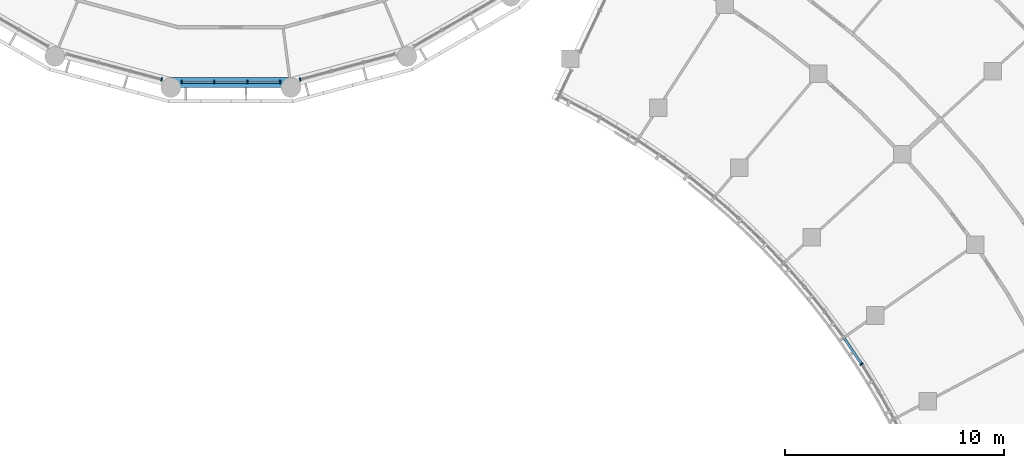
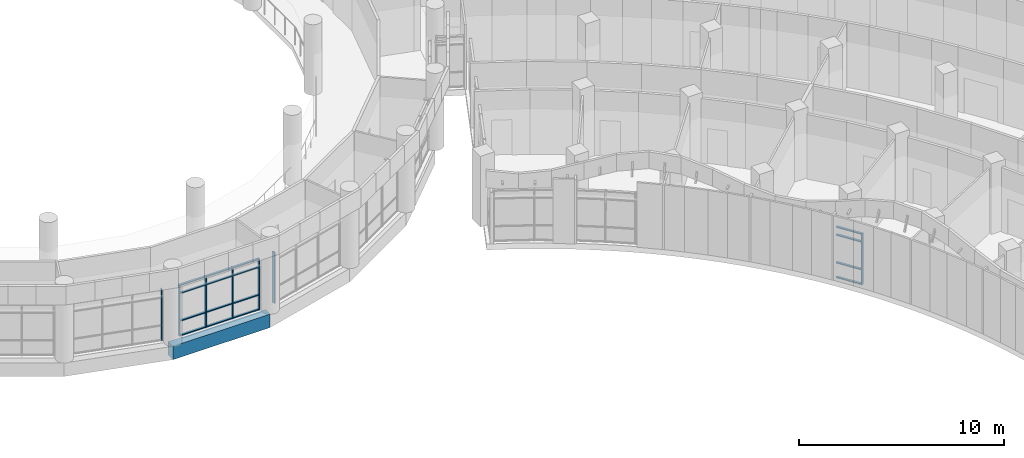
# One storey, part 9 of 109: 23 members, 1 beam, 4 elements without a shape of their own.
"""IFC4 building model written with IfcOpenShell, lengths in metres."""

from ifc_helpers import new_model, si_unit, direction, frame, origin, origin_2d, place, context, subcontext, project, spatial, rectangle, extrude, material, material_profile, profile_set, type_object, element, aggregate, save


model = new_model("IFC4")

# Units and contexts
model_context = context("Model", 3, precision=1e-05, world=origin(), true_north=direction((0.0, 1.0)))
body_context = subcontext(model_context, "Body", "Model", "MODEL_VIEW")
ifc_project = project(units=[si_unit("LENGTHUNIT", "METRE"), si_unit("AREAUNIT", "SQUARE_METRE"), si_unit("VOLUMEUNIT", "CUBIC_METRE"), si_unit("PLANEANGLEUNIT", "RADIAN"), si_unit("MASSUNIT", "GRAM", prefix="KILO")], contexts=[model_context])

# Site, building, storey
site_placement = place(None, origin())
site = spatial("IfcSite", under=ifc_project, at=site_placement, CompositionType="ELEMENT")
building_placement = place(site_placement, origin())
building = spatial("IfcBuilding", under=site, at=building_placement, Name="Bougainvillea Quay General Hospital", CompositionType="ELEMENT")
storey_placement = place(building_placement, frame((0.0, 0.0, 12.60009765625)))
storey = spatial("IfcBuildingStorey", under=building, at=storey_placement, Name="L02", CompositionType="ELEMENT", Elevation=12.60009765625)

# Curtain wall, member
ifc_material_1 = material(Name="Aluminium curtain wall system, powder-coated glazed", Category="aluminium")
curtain_wall_type_1 = type_object("IfcCurtainWallType", Name="Unitised curtain wall CW-2100", PredefinedType="NOTDEFINED", material=ifc_material_1)
curtain_wall_1_placement = place(storey_placement, origin())
curtain_wall_1 = element("IfcCurtainWall", 1, at=curtain_wall_1_placement, inside=storey, type_object=curtain_wall_type_1, Name="CW-E05 a21b4", PredefinedType="NOTDEFINED")
ifc_material_2 = material(Name="Aluminium mullion, powder-coated charcoal", Category="aluminium")
ifc_material_profile_1 = material_profile(ifc_material_2, rectangle(XDim=0.159912109375, YDim=0.06005859375, at=origin_2d()))
ifc_profile_set_1 = profile_set([ifc_material_profile_1], Name="Aluminium mullion, powder-coated charcoal")
member_type_1 = type_object("IfcMemberType", Name="Curtain wall mullion 160x60", PredefinedType="MULLION", material=ifc_profile_set_1)
member_1_placement = place(storey_placement, frame((137.984619140625, 40.560791015625, 0.0), z_axis=(0.0, 0.0, 1.0), x_axis=(0.840427908607, 0.541923362141, 0.0)))
member_1 = element("IfcMember", 2, at=member_1_placement, type_object=member_type_1, Name="CW-E05 mullion 2", PredefinedType="MULLION", context=body_context, shape_type="SweptSolid", body=[
    extrude(rectangle(XDim=0.159912109375, YDim=0.06005859375, at=origin_2d()), origin(), (0.0, 0.0, 1.0), 3.0498046875),
])

curtain_wall_type_2 = type_object("IfcCurtainWallType", Name="Unitised curtain wall CW-1514", PredefinedType="NOTDEFINED", material=ifc_material_1)
curtain_wall_2_placement = place(storey_placement, origin())
curtain_wall_2 = element("IfcCurtainWall", 3, at=curtain_wall_2_placement, inside=storey, type_object=curtain_wall_type_2, Name="CW-D 00", PredefinedType="NOTDEFINED")
member_2_placement = place(storey_placement, frame((106.040771484375, 53.551025390625, 0.0), z_axis=(0.0, 0.0, 1.0), x_axis=(0.258854621298, 0.965916292974, 0.0)))
member_2 = element("IfcMember", 4, at=member_2_placement, type_object=member_type_1, Name="CW-D mullion 4", PredefinedType="MULLION", context=body_context, shape_type="SweptSolid", body=[
    extrude(rectangle(XDim=0.159912109375, YDim=0.06005859375, at=origin_2d()), origin(), (0.0, 0.0, 1.0), 3.0498046875),
])
aggregate(curtain_wall_2, [member_2])

# Curtain wall, members
curtain_wall_3_placement = place(storey_placement, origin())
curtain_wall_3 = element("IfcCurtainWall", 5, at=curtain_wall_3_placement, inside=storey, type_object=curtain_wall_type_2, Name="CW-D 00", PredefinedType="NOTDEFINED")
member_3_placement = place(storey_placement, frame((106.958984375, 53.429931640625, 0.0), z_axis=(0.0, 0.0, 1.0), x_axis=(0.0, 1.0, 0.0)))
member_3 = element("IfcMember", 6, at=member_3_placement, type_object=member_type_1, Name="CW-D mullion 1", PredefinedType="MULLION", context=body_context, shape_type="SweptSolid", body=[
    extrude(rectangle(XDim=0.159912109375, YDim=0.06005859375, at=origin_2d()), origin(), (0.0, 0.0, 1.0), 3.0498046875),
])
member_4_placement = place(storey_placement, frame((108.443115234375, 53.429931640625, 0.0), z_axis=(0.0, 0.0, 1.0), x_axis=(0.0, 1.0, 0.0)))
member_4 = element("IfcMember", 7, at=member_4_placement, type_object=member_type_1, Name="CW-D mullion 2", PredefinedType="MULLION", context=body_context, shape_type="SweptSolid", body=[
    extrude(rectangle(XDim=0.159912109375, YDim=0.06005859375, at=origin_2d()), origin(), (0.0, 0.0, 1.0), 3.0498046875),
])
member_5_placement = place(storey_placement, frame((109.95703125, 53.429931640625, 0.0), z_axis=(0.0, 0.0, 1.0), x_axis=(0.0, 1.0, 0.0)))
member_5 = element("IfcMember", 8, at=member_5_placement, type_object=member_type_1, Name="CW-D mullion 3", PredefinedType="MULLION", context=body_context, shape_type="SweptSolid", body=[
    extrude(rectangle(XDim=0.159912109375, YDim=0.06005859375, at=origin_2d()), origin(), (0.0, 0.0, 1.0), 3.0498046875),
])
member_6_placement = place(storey_placement, frame((111.44091796875, 53.429931640625, 0.0), z_axis=(0.0, 0.0, 1.0), x_axis=(0.0, 1.0, 0.0)))
member_6 = element("IfcMember", 9, at=member_6_placement, type_object=member_type_1, Name="CW-D mullion 4", PredefinedType="MULLION", context=body_context, shape_type="SweptSolid", body=[
    extrude(rectangle(XDim=0.159912109375, YDim=0.06005859375, at=origin_2d()), origin(), (0.0, 0.0, 1.0), 3.0498046875),
])

# Curtain wall, member
curtain_wall_4_placement = place(storey_placement, origin())
curtain_wall_4 = element("IfcCurtainWall", 10, at=curtain_wall_4_placement, inside=storey, type_object=curtain_wall_type_2, Name="CW-D 00", PredefinedType="NOTDEFINED")
member_7_placement = place(storey_placement, frame((112.359130859375, 53.551025390625, 0.0), z_axis=(0.0, 0.0, 1.0), x_axis=(-0.258854621298, 0.965916292974, 0.0)))
member_7 = element("IfcMember", 11, at=member_7_placement, type_object=member_type_1, Name="CW-D mullion 1", PredefinedType="MULLION", context=body_context, shape_type="SweptSolid", body=[
    extrude(rectangle(XDim=0.159912109375, YDim=0.06005859375, at=origin_2d()), origin(), (0.0, 0.0, 1.0), 3.0498046875),
])
aggregate(curtain_wall_4, [member_7])

# Member
ifc_material_3 = material(Name="Aluminium transom, powder-coated charcoal", Category="aluminium")
ifc_material_profile_2 = material_profile(ifc_material_3, rectangle(XDim=0.1201171875, YDim=0.06005859375, at=origin_2d()))
ifc_profile_set_2 = profile_set([ifc_material_profile_2], Name="Aluminium transom, powder-coated charcoal")
member_type_2 = type_object("IfcMemberType", Name="Curtain wall transom 120x60", PredefinedType="USERDEFINED", material=ifc_profile_set_2)
member_8_placement = place(storey_placement, frame((137.202880859375, 41.718505859375, 0.02978515625), z_axis=(0.559595554462, -0.828765838718, 0.0), x_axis=(0.828765838718, 0.559595554462, 0.0)))
member_8 = element("IfcMember", 12, at=member_8_placement, type_object=member_type_2, Name="CW-E05 transom 1.1", ObjectType="TRANSOM", PredefinedType="USERDEFINED", context=body_context, shape_type="SweptSolid", body=[
    extrude(rectangle(XDim=0.1201171875, YDim=0.06005859375, at=origin_2d()), origin(), (0.0, 0.0, 1.0), 1.366943359375),
])

member_9_placement = place(storey_placement, frame((137.202880859375, 41.718505859375, 0.89990234375), z_axis=(0.559595554462, -0.828765838718, 0.0), x_axis=(0.828765838718, 0.559595554462, 0.0)))
member_9 = element("IfcMember", 13, at=member_9_placement, type_object=member_type_2, Name="CW-E05 transom 1.2", ObjectType="TRANSOM", PredefinedType="USERDEFINED", context=body_context, shape_type="SweptSolid", body=[
    extrude(rectangle(XDim=0.1201171875, YDim=0.06005859375, at=origin_2d()), origin(), (0.0, 0.0, 1.0), 1.366943359375),
])

member_10_placement = place(storey_placement, frame((137.202880859375, 41.718505859375, 2.5498046875), z_axis=(0.559595554462, -0.828765838718, 0.0), x_axis=(0.828765838718, 0.559595554462, 0.0)))
member_10 = element("IfcMember", 14, at=member_10_placement, type_object=member_type_2, Name="CW-E05 transom 1.3", ObjectType="TRANSOM", PredefinedType="USERDEFINED", context=body_context, shape_type="SweptSolid", body=[
    extrude(rectangle(XDim=0.1201171875, YDim=0.06005859375, at=origin_2d()), origin(), (0.0, 0.0, 1.0), 1.366943359375),
])

member_11_placement = place(storey_placement, frame((137.202880859375, 41.718505859375, 3.02001953125), z_axis=(0.559595554462, -0.828765838718, 0.0), x_axis=(0.828765838718, 0.559595554462, 0.0)))
member_11 = element("IfcMember", 15, at=member_11_placement, type_object=member_type_2, Name="CW-E05 transom 1.4", ObjectType="TRANSOM", PredefinedType="USERDEFINED", context=body_context, shape_type="SweptSolid", body=[
    extrude(rectangle(XDim=0.1201171875, YDim=0.06005859375, at=origin_2d()), origin(), (0.0, 0.0, 1.0), 1.366943359375),
])

aggregate(curtain_wall_1, [member_1, member_8, member_9, member_10, member_11])

member_12_placement = place(storey_placement, frame((106.989013671875, 53.429931640625, 0.02978515625), z_axis=(1.0, 0.0, 0.0), x_axis=(0.0, 1.0, 0.0)))
member_12 = element("IfcMember", 16, at=member_12_placement, type_object=member_type_2, Name="CW-D transom 1.1", ObjectType="TRANSOM", PredefinedType="USERDEFINED", context=body_context, shape_type="SweptSolid", body=[
    extrude(rectangle(XDim=0.1201171875, YDim=0.06005859375, at=origin_2d()), origin(), (0.0, 0.0, 1.0), 1.424072265625),
])

member_13_placement = place(storey_placement, frame((106.989013671875, 53.429931640625, 0.89990234375), z_axis=(1.0, 0.0, 0.0), x_axis=(0.0, 1.0, 0.0)))
member_13 = element("IfcMember", 17, at=member_13_placement, type_object=member_type_2, Name="CW-D transom 1.2", ObjectType="TRANSOM", PredefinedType="USERDEFINED", context=body_context, shape_type="SweptSolid", body=[
    extrude(rectangle(XDim=0.1201171875, YDim=0.06005859375, at=origin_2d()), origin(), (0.0, 0.0, 1.0), 1.424072265625),
])

member_14_placement = place(storey_placement, frame((106.989013671875, 53.429931640625, 2.5498046875), z_axis=(1.0, 0.0, 0.0), x_axis=(0.0, 1.0, 0.0)))
member_14 = element("IfcMember", 18, at=member_14_placement, type_object=member_type_2, Name="CW-D transom 1.3", ObjectType="TRANSOM", PredefinedType="USERDEFINED", context=body_context, shape_type="SweptSolid", body=[
    extrude(rectangle(XDim=0.1201171875, YDim=0.06005859375, at=origin_2d()), origin(), (0.0, 0.0, 1.0), 1.424072265625),
])

member_15_placement = place(storey_placement, frame((106.989013671875, 53.429931640625, 3.02001953125), z_axis=(1.0, 0.0, 0.0), x_axis=(0.0, 1.0, 0.0)))
member_15 = element("IfcMember", 19, at=member_15_placement, type_object=member_type_2, Name="CW-D transom 1.4", ObjectType="TRANSOM", PredefinedType="USERDEFINED", context=body_context, shape_type="SweptSolid", body=[
    extrude(rectangle(XDim=0.1201171875, YDim=0.06005859375, at=origin_2d()), origin(), (0.0, 0.0, 1.0), 1.424072265625),
])

member_16_placement = place(storey_placement, frame((108.472900390625, 53.429931640625, 0.02978515625), z_axis=(1.0, 0.0, 0.0), x_axis=(0.0, 1.0, 0.0)))
member_16 = element("IfcMember", 20, at=member_16_placement, type_object=member_type_2, Name="CW-D transom 2.1", ObjectType="TRANSOM", PredefinedType="USERDEFINED", context=body_context, shape_type="SweptSolid", body=[
    extrude(rectangle(XDim=0.1201171875, YDim=0.06005859375, at=origin_2d()), origin(), (0.0, 0.0, 1.0), 1.4541015625),
])

member_17_placement = place(storey_placement, frame((108.472900390625, 53.429931640625, 0.89990234375), z_axis=(1.0, 0.0, 0.0), x_axis=(0.0, 1.0, 0.0)))
member_17 = element("IfcMember", 21, at=member_17_placement, type_object=member_type_2, Name="CW-D transom 2.2", ObjectType="TRANSOM", PredefinedType="USERDEFINED", context=body_context, shape_type="SweptSolid", body=[
    extrude(rectangle(XDim=0.1201171875, YDim=0.06005859375, at=origin_2d()), origin(), (0.0, 0.0, 1.0), 1.4541015625),
])

member_18_placement = place(storey_placement, frame((108.472900390625, 53.429931640625, 2.5498046875), z_axis=(1.0, 0.0, 0.0), x_axis=(0.0, 1.0, 0.0)))
member_18 = element("IfcMember", 22, at=member_18_placement, type_object=member_type_2, Name="CW-D transom 2.3", ObjectType="TRANSOM", PredefinedType="USERDEFINED", context=body_context, shape_type="SweptSolid", body=[
    extrude(rectangle(XDim=0.1201171875, YDim=0.06005859375, at=origin_2d()), origin(), (0.0, 0.0, 1.0), 1.4541015625),
])

member_19_placement = place(storey_placement, frame((108.472900390625, 53.429931640625, 3.02001953125), z_axis=(1.0, 0.0, 0.0), x_axis=(0.0, 1.0, 0.0)))
member_19 = element("IfcMember", 23, at=member_19_placement, type_object=member_type_2, Name="CW-D transom 2.4", ObjectType="TRANSOM", PredefinedType="USERDEFINED", context=body_context, shape_type="SweptSolid", body=[
    extrude(rectangle(XDim=0.1201171875, YDim=0.06005859375, at=origin_2d()), origin(), (0.0, 0.0, 1.0), 1.4541015625),
])

member_20_placement = place(storey_placement, frame((109.987060546875, 53.429931640625, 0.02978515625), z_axis=(1.0, 0.0, 0.0), x_axis=(0.0, 1.0, 0.0)))
member_20 = element("IfcMember", 24, at=member_20_placement, type_object=member_type_2, Name="CW-D transom 3.1", ObjectType="TRANSOM", PredefinedType="USERDEFINED", context=body_context, shape_type="SweptSolid", body=[
    extrude(rectangle(XDim=0.1201171875, YDim=0.06005859375, at=origin_2d()), origin(), (0.0, 0.0, 1.0), 1.423828125),
])

member_21_placement = place(storey_placement, frame((109.987060546875, 53.429931640625, 0.89990234375), z_axis=(1.0, 0.0, 0.0), x_axis=(0.0, 1.0, 0.0)))
member_21 = element("IfcMember", 25, at=member_21_placement, type_object=member_type_2, Name="CW-D transom 3.2", ObjectType="TRANSOM", PredefinedType="USERDEFINED", context=body_context, shape_type="SweptSolid", body=[
    extrude(rectangle(XDim=0.1201171875, YDim=0.06005859375, at=origin_2d()), origin(), (0.0, 0.0, 1.0), 1.423828125),
])

member_22_placement = place(storey_placement, frame((109.987060546875, 53.429931640625, 2.5498046875), z_axis=(1.0, 0.0, 0.0), x_axis=(0.0, 1.0, 0.0)))
member_22 = element("IfcMember", 26, at=member_22_placement, type_object=member_type_2, Name="CW-D transom 3.3", ObjectType="TRANSOM", PredefinedType="USERDEFINED", context=body_context, shape_type="SweptSolid", body=[
    extrude(rectangle(XDim=0.1201171875, YDim=0.06005859375, at=origin_2d()), origin(), (0.0, 0.0, 1.0), 1.423828125),
])

member_23_placement = place(storey_placement, frame((109.987060546875, 53.429931640625, 3.02001953125), z_axis=(1.0, 0.0, 0.0), x_axis=(0.0, 1.0, 0.0)))
member_23 = element("IfcMember", 27, at=member_23_placement, type_object=member_type_2, Name="CW-D transom 3.4", ObjectType="TRANSOM", PredefinedType="USERDEFINED", context=body_context, shape_type="SweptSolid", body=[
    extrude(rectangle(XDim=0.1201171875, YDim=0.06005859375, at=origin_2d()), origin(), (0.0, 0.0, 1.0), 1.423828125),
])

aggregate(curtain_wall_3, [member_3, member_4, member_5, member_6, member_12, member_13, member_14, member_15, member_16, member_17, member_18, member_19, member_20, member_21, member_22, member_23])

# Beam
ifc_material_4 = material(Name="Concrete C40", Category="concrete")
ifc_material_profile_3 = material_profile(ifc_material_4, rectangle(XDim=0.449951171875, YDim=0.800048828125, at=origin_2d()))
ifc_profile_set_3 = profile_set([ifc_material_profile_3], Name="Concrete C40")
beam_type = type_object("IfcBeamType", Name="RC BEAM 450x800 C40", PredefinedType="BEAM", material=ifc_profile_set_3)
beam_placement = place(storey_placement, frame((106.458984375, 53.405029296875, -0.7001953125), z_axis=(1.0, 0.0, 0.0), x_axis=(0.0, 1.0, 0.0)))
element("IfcBeam", 28, at=beam_placement, inside=storey, type_object=beam_type, Name="Edge beam L02", PredefinedType="BEAM", context=body_context, shape_type="SweptSolid", body=[
    extrude(rectangle(XDim=0.449951171875, YDim=0.800048828125, at=origin_2d()), origin(), (0.0, 0.0, 1.0), 5.48193359375),
])

save(model, "model.ifc")
